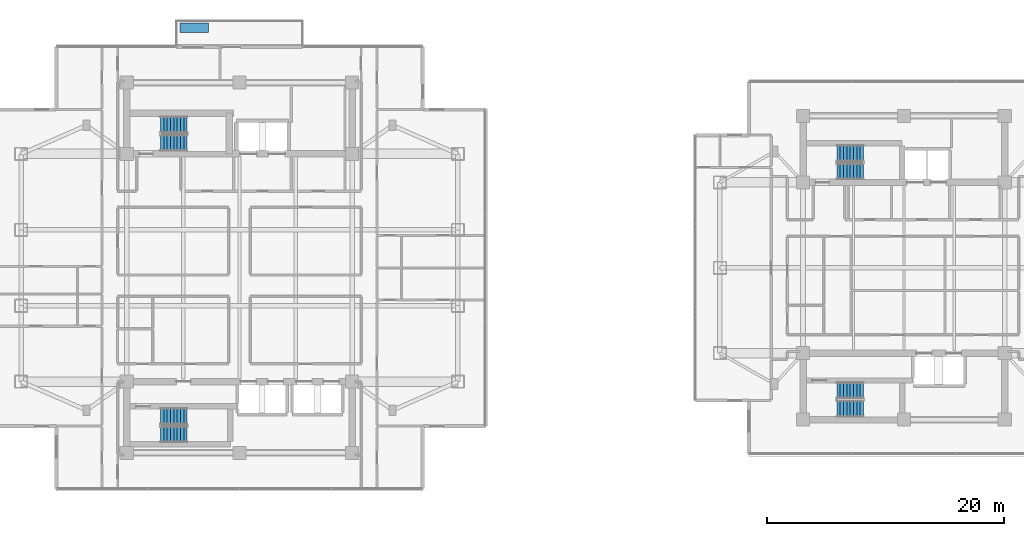
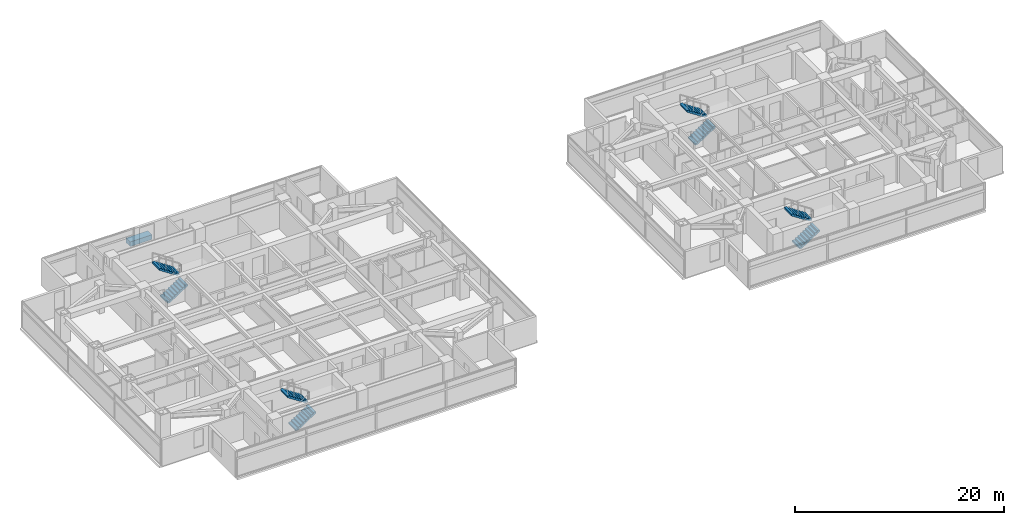
# One storey, part 20 of 26: 8 stair flights, 1 discrete accessory, 4 elements without a shape of their own.
"""IFC4 building model written with IfcOpenShell, lengths in metres."""

from ifc_helpers import new_model, si_unit, direction, frame, origin, origin_2d, place, context, subcontext, project, spatial, polyline, rectangle, outline, extrude, material, type_object, element, aggregate, save


model = new_model("IFC4")

# Units and contexts
model_context = context("Model", 3, precision=1e-05, world=origin(), true_north=direction((0.0, 1.0)))
body_context = subcontext(model_context, "Body", "Model", "MODEL_VIEW")
ifc_project = project(units=[si_unit("LENGTHUNIT", "METRE"), si_unit("AREAUNIT", "SQUARE_METRE"), si_unit("VOLUMEUNIT", "CUBIC_METRE"), si_unit("PLANEANGLEUNIT", "RADIAN"), si_unit("MASSUNIT", "GRAM", prefix="KILO")], contexts=[model_context])

# Site, building, storey
site_placement = place(None, origin())
site = spatial("IfcSite", under=ifc_project, at=site_placement, CompositionType="ELEMENT")
building_placement = place(site_placement, origin())
building = spatial("IfcBuilding", under=site, at=building_placement, Name="Mirazonda Arch Towers", CompositionType="ELEMENT")
storey_placement = place(building_placement, frame((0.0, 0.0, 128.0)))
storey = spatial("IfcBuildingStorey", under=building, at=storey_placement, Name="L36", CompositionType="ELEMENT", Elevation=128.0)

# Stair, stair flights
ifc_material_1 = material(Name="Concrete C40/50", Category="concrete")
stair_type = type_object("IfcStairType", Name="STAIR-CORE-1400", PredefinedType="HALF_TURN_STAIR", material=ifc_material_1)
stair_1_placement = place(storey_placement, origin())
stair_1 = element("IfcStair", 1, at=stair_1_placement, inside=storey, type_object=stair_type, Name="L36 Protected Exit Stair ST-T1N", PredefinedType="HALF_TURN_STAIR")
stair_flight_type = type_object("IfcStairFlightType", Name="FLIGHT-1400", PredefinedType="STRAIGHT", material=ifc_material_1)
stair_flight_1_placement = place(storey_placement, frame((13.85009765625, 38.52001953125, 0.0), z_axis=(0.0, 0.0, 1.0), x_axis=(1.0, 0.0, 0.0)))
stair_flight_1 = element("IfcStairFlight", 2, at=stair_flight_1_placement, type_object=stair_flight_type, Name="ST-T1N flight 1", NumberOfRisers=9, NumberOfTreads=8, PredefinedType="STRAIGHT", RiserHeight=0.183333333, TreadLength=0.28, context=body_context, shape_type="SweptSolid", body=[
    extrude(outline(polyline([(0.0, 0.0), (0.0, 0.183349609375), (0.280029296875, 0.183349609375), (0.280029296875, 0.36669921875), (0.56005859375, 0.36669921875), (0.56005859375, 0.550048828125), (0.840087890625, 0.550048828125), (0.840087890625, 0.7333984375), (1.1201171875, 0.7333984375), (1.1201171875, 0.916748046875), (1.39990234375, 0.916748046875), (1.39990234375, 1.10009765625), (1.679931640625, 1.10009765625), (1.679931640625, 1.283447265625), (1.9599609375, 1.283447265625), (1.9599609375, 1.466552734375), (2.239990234375, 1.466552734375), (2.239990234375, 1.64990234375), (2.239990234375, 1.275634765625), (0.2919921875, 0.0), (0.0, 0.0)])), frame((0.0, 0.699951171875, 0.0), z_axis=(0.0, -1.0, 0.0), x_axis=(1.0, 0.0, 0.0)), (0.0, 0.0, 1.0), 1.39990234375),
])
stair_flight_2_placement = place(storey_placement, frame((16.090087890625, 40.06005859375, 1.64990234375), z_axis=(0.0, 0.0, 1.0), x_axis=(-1.0, 0.0, 0.0)))
stair_flight_2 = element("IfcStairFlight", 3, at=stair_flight_2_placement, type_object=stair_flight_type, Name="ST-T1N flight 2", NumberOfRisers=9, NumberOfTreads=8, PredefinedType="STRAIGHT", RiserHeight=0.183333333, TreadLength=0.28, context=body_context, shape_type="SweptSolid", body=[
    extrude(outline(polyline([(0.0, 0.0), (0.0, 0.183349609375), (0.280029296875, 0.183349609375), (0.280029296875, 0.36669921875), (0.56005859375, 0.36669921875), (0.56005859375, 0.550048828125), (0.840087890625, 0.550048828125), (0.840087890625, 0.7333984375), (1.1201171875, 0.7333984375), (1.1201171875, 0.916748046875), (1.39990234375, 0.916748046875), (1.39990234375, 1.10009765625), (1.679931640625, 1.10009765625), (1.679931640625, 1.283447265625), (1.9599609375, 1.283447265625), (1.9599609375, 1.466552734375), (2.239990234375, 1.466552734375), (2.239990234375, 1.64990234375), (2.239990234375, 1.275634765625), (0.2919921875, 0.0), (0.0, 0.0)])), frame((0.0, 0.699951171875, 0.0), z_axis=(0.0, -1.0, 0.0), x_axis=(1.0, 0.0, 0.0)), (0.0, 0.0, 1.0), 1.39990234375),
])
aggregate(stair_1, [stair_flight_1, stair_flight_2])

stair_2_placement = place(storey_placement, origin())
stair_2 = element("IfcStair", 4, at=stair_2_placement, inside=storey, type_object=stair_type, Name="L36 Protected Exit Stair ST-T1S", PredefinedType="HALF_TURN_STAIR")
stair_flight_3_placement = place(storey_placement, frame((13.85009765625, 13.949951171875, 0.0), z_axis=(0.0, 0.0, 1.0), x_axis=(1.0, 0.0, 0.0)))
stair_flight_3 = element("IfcStairFlight", 5, at=stair_flight_3_placement, type_object=stair_flight_type, Name="ST-T1S flight 1", NumberOfRisers=9, NumberOfTreads=8, PredefinedType="STRAIGHT", RiserHeight=0.183333333, TreadLength=0.28, context=body_context, shape_type="SweptSolid", body=[
    extrude(outline(polyline([(0.0, 0.0), (0.0, 0.183349609375), (0.280029296875, 0.183349609375), (0.280029296875, 0.36669921875), (0.56005859375, 0.36669921875), (0.56005859375, 0.550048828125), (0.840087890625, 0.550048828125), (0.840087890625, 0.7333984375), (1.1201171875, 0.7333984375), (1.1201171875, 0.916748046875), (1.39990234375, 0.916748046875), (1.39990234375, 1.10009765625), (1.679931640625, 1.10009765625), (1.679931640625, 1.283447265625), (1.9599609375, 1.283447265625), (1.9599609375, 1.466552734375), (2.239990234375, 1.466552734375), (2.239990234375, 1.64990234375), (2.239990234375, 1.275634765625), (0.2919921875, 0.0), (0.0, 0.0)])), frame((0.0, 0.699951171875, 0.0), z_axis=(0.0, -1.0, 0.0), x_axis=(1.0, 0.0, 0.0)), (0.0, 0.0, 1.0), 1.39990234375),
])
stair_flight_4_placement = place(storey_placement, frame((16.090087890625, 15.489990234375, 1.64990234375), z_axis=(0.0, 0.0, 1.0), x_axis=(-1.0, 0.0, 0.0)))
stair_flight_4 = element("IfcStairFlight", 6, at=stair_flight_4_placement, type_object=stair_flight_type, Name="ST-T1S flight 2", NumberOfRisers=9, NumberOfTreads=8, PredefinedType="STRAIGHT", RiserHeight=0.183333333, TreadLength=0.28, context=body_context, shape_type="SweptSolid", body=[
    extrude(outline(polyline([(0.0, 0.0), (0.0, 0.183349609375), (0.280029296875, 0.183349609375), (0.280029296875, 0.36669921875), (0.56005859375, 0.36669921875), (0.56005859375, 0.550048828125), (0.840087890625, 0.550048828125), (0.840087890625, 0.7333984375), (1.1201171875, 0.7333984375), (1.1201171875, 0.916748046875), (1.39990234375, 0.916748046875), (1.39990234375, 1.10009765625), (1.679931640625, 1.10009765625), (1.679931640625, 1.283447265625), (1.9599609375, 1.283447265625), (1.9599609375, 1.466552734375), (2.239990234375, 1.466552734375), (2.239990234375, 1.64990234375), (2.239990234375, 1.275634765625), (0.2919921875, 0.0), (0.0, 0.0)])), frame((0.0, 0.699951171875, 0.0), z_axis=(0.0, -1.0, 0.0), x_axis=(1.0, 0.0, 0.0)), (0.0, 0.0, 1.0), 1.39990234375),
])
aggregate(stair_2, [stair_flight_3, stair_flight_4])

stair_3_placement = place(storey_placement, origin())
stair_3 = element("IfcStair", 7, at=stair_3_placement, inside=storey, type_object=stair_type, Name="L36 Protected Exit Stair ST-T2N", PredefinedType="HALF_TURN_STAIR")
stair_flight_5_placement = place(storey_placement, frame((70.85009765625, 36.1201171875, 0.0), z_axis=(0.0, 0.0, 1.0), x_axis=(1.0, 0.0, 0.0)))
stair_flight_5 = element("IfcStairFlight", 8, at=stair_flight_5_placement, type_object=stair_flight_type, Name="ST-T2N flight 1", NumberOfRisers=9, NumberOfTreads=8, PredefinedType="STRAIGHT", RiserHeight=0.183333333, TreadLength=0.28, context=body_context, shape_type="SweptSolid", body=[
    extrude(outline(polyline([(0.0, 0.0), (0.0, 0.183349609375), (0.280029296875, 0.183349609375), (0.280029296875, 0.36669921875), (0.56005859375, 0.36669921875), (0.56005859375, 0.550048828125), (0.840087890625, 0.550048828125), (0.840087890625, 0.7333984375), (1.1201171875, 0.7333984375), (1.1201171875, 0.916748046875), (1.39990234375, 0.916748046875), (1.39990234375, 1.10009765625), (1.679931640625, 1.10009765625), (1.679931640625, 1.283447265625), (1.9599609375, 1.283447265625), (1.9599609375, 1.466552734375), (2.239990234375, 1.466552734375), (2.239990234375, 1.64990234375), (2.239990234375, 1.275634765625), (0.2919921875, 0.0), (0.0, 0.0)])), frame((0.0, 0.699951171875, 0.0), z_axis=(0.0, -1.0, 0.0), x_axis=(1.0, 0.0, 0.0)), (0.0, 0.0, 1.0), 1.39990234375),
])
stair_flight_6_placement = place(storey_placement, frame((73.090087890625, 37.659912109375, 1.64990234375), z_axis=(0.0, 0.0, 1.0), x_axis=(-1.0, 0.0, 0.0)))
stair_flight_6 = element("IfcStairFlight", 9, at=stair_flight_6_placement, type_object=stair_flight_type, Name="ST-T2N flight 2", NumberOfRisers=9, NumberOfTreads=8, PredefinedType="STRAIGHT", RiserHeight=0.183333333, TreadLength=0.28, context=body_context, shape_type="SweptSolid", body=[
    extrude(outline(polyline([(0.0, 0.0), (0.0, 0.183349609375), (0.280029296875, 0.183349609375), (0.280029296875, 0.36669921875), (0.56005859375, 0.36669921875), (0.56005859375, 0.550048828125), (0.840087890625, 0.550048828125), (0.840087890625, 0.7333984375), (1.1201171875, 0.7333984375), (1.1201171875, 0.916748046875), (1.39990234375, 0.916748046875), (1.39990234375, 1.10009765625), (1.679931640625, 1.10009765625), (1.679931640625, 1.283447265625), (1.9599609375, 1.283447265625), (1.9599609375, 1.466552734375), (2.239990234375, 1.466552734375), (2.239990234375, 1.64990234375), (2.239990234375, 1.275634765625), (0.2919921875, 0.0), (0.0, 0.0)])), frame((0.0, 0.699951171875, 0.0), z_axis=(0.0, -1.0, 0.0), x_axis=(1.0, 0.0, 0.0)), (0.0, 0.0, 1.0), 1.39990234375),
])
aggregate(stair_3, [stair_flight_5, stair_flight_6])

stair_4_placement = place(storey_placement, origin())
stair_4 = element("IfcStair", 10, at=stair_4_placement, inside=storey, type_object=stair_type, Name="L36 Protected Exit Stair ST-T2S", PredefinedType="HALF_TURN_STAIR")
stair_flight_7_placement = place(storey_placement, frame((70.85009765625, 16.1201171875, 0.0), z_axis=(0.0, 0.0, 1.0), x_axis=(1.0, 0.0, 0.0)))
stair_flight_7 = element("IfcStairFlight", 11, at=stair_flight_7_placement, type_object=stair_flight_type, Name="ST-T2S flight 1", NumberOfRisers=9, NumberOfTreads=8, PredefinedType="STRAIGHT", RiserHeight=0.183333333, TreadLength=0.28, context=body_context, shape_type="SweptSolid", body=[
    extrude(outline(polyline([(0.0, 0.0), (0.0, 0.183349609375), (0.280029296875, 0.183349609375), (0.280029296875, 0.36669921875), (0.56005859375, 0.36669921875), (0.56005859375, 0.550048828125), (0.840087890625, 0.550048828125), (0.840087890625, 0.7333984375), (1.1201171875, 0.7333984375), (1.1201171875, 0.916748046875), (1.39990234375, 0.916748046875), (1.39990234375, 1.10009765625), (1.679931640625, 1.10009765625), (1.679931640625, 1.283447265625), (1.9599609375, 1.283447265625), (1.9599609375, 1.466552734375), (2.239990234375, 1.466552734375), (2.239990234375, 1.64990234375), (2.239990234375, 1.275634765625), (0.2919921875, 0.0), (0.0, 0.0)])), frame((0.0, 0.699951171875, 0.0), z_axis=(0.0, -1.0, 0.0), x_axis=(1.0, 0.0, 0.0)), (0.0, 0.0, 1.0), 1.39990234375),
])
stair_flight_8_placement = place(storey_placement, frame((73.090087890625, 17.659912109375, 1.64990234375), z_axis=(0.0, 0.0, 1.0), x_axis=(-1.0, 0.0, 0.0)))
stair_flight_8 = element("IfcStairFlight", 12, at=stair_flight_8_placement, type_object=stair_flight_type, Name="ST-T2S flight 2", NumberOfRisers=9, NumberOfTreads=8, PredefinedType="STRAIGHT", RiserHeight=0.183333333, TreadLength=0.28, context=body_context, shape_type="SweptSolid", body=[
    extrude(outline(polyline([(0.0, 0.0), (0.0, 0.183349609375), (0.280029296875, 0.183349609375), (0.280029296875, 0.36669921875), (0.56005859375, 0.36669921875), (0.56005859375, 0.550048828125), (0.840087890625, 0.550048828125), (0.840087890625, 0.7333984375), (1.1201171875, 0.7333984375), (1.1201171875, 0.916748046875), (1.39990234375, 0.916748046875), (1.39990234375, 1.10009765625), (1.679931640625, 1.10009765625), (1.679931640625, 1.283447265625), (1.9599609375, 1.283447265625), (1.9599609375, 1.466552734375), (2.239990234375, 1.466552734375), (2.239990234375, 1.64990234375), (2.239990234375, 1.275634765625), (0.2919921875, 0.0), (0.0, 0.0)])), frame((0.0, 0.699951171875, 0.0), z_axis=(0.0, -1.0, 0.0), x_axis=(1.0, 0.0, 0.0)), (0.0, 0.0, 1.0), 1.39990234375),
])
aggregate(stair_4, [stair_flight_7, stair_flight_8])

# Discrete accessory
ifc_material_2 = material(Name="Kiln-Fired Architectural Terracotta", Category="masonry")
discrete_accessory_type = type_object("IfcDiscreteAccessoryType", Name="PLANTER-TERRA", PredefinedType="USERDEFINED", material=ifc_material_2)
discrete_accessory_placement = place(storey_placement, frame((16.699951171875, 48.23388671875, 0.0), z_axis=(0.0, 0.0, 1.0), x_axis=(1.0, 0.0, 0.0)))
element("IfcDiscreteAccessory", 13, at=discrete_accessory_placement, inside=storey, type_object=discrete_accessory_type, Name="L36 T1 Sky-Terrace Planter", ObjectType="PLANTER", PredefinedType="USERDEFINED", context=body_context, shape_type="SweptSolid", body=[
    extrude(rectangle(XDim=2.39990234375, YDim=0.800048828125, at=origin_2d()), origin(), (0.0, 0.0, 1.0), 0.550048828125),
])

save(model, "model.ifc")
